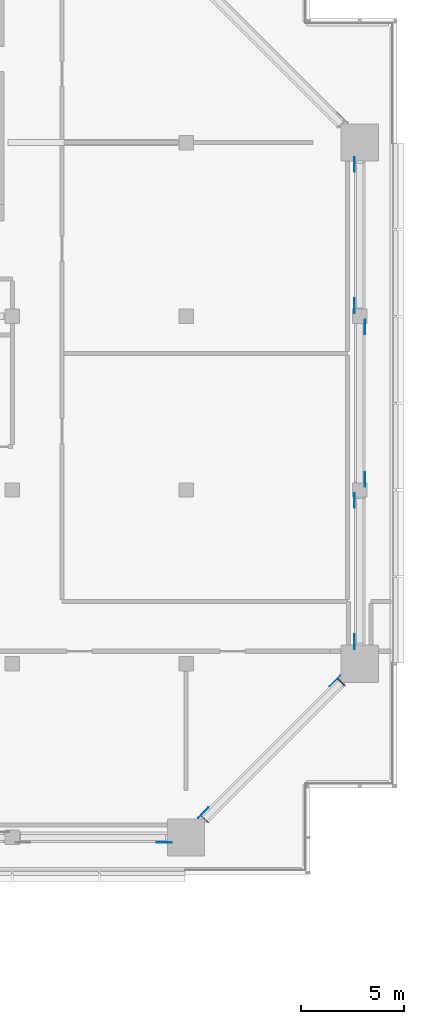
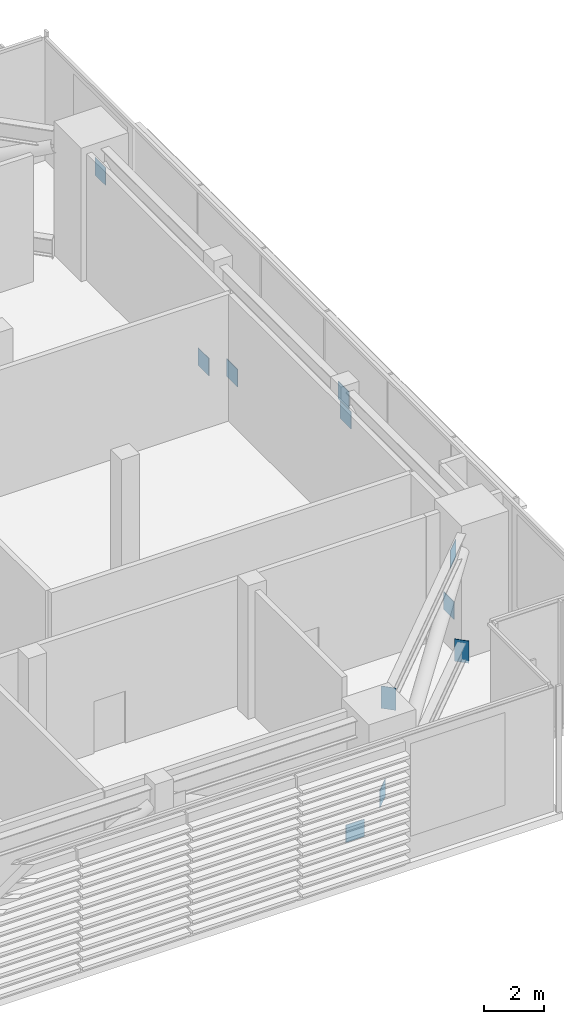
# One storey, part 22 of 29: 11 discrete accessories.
"""IFC4 building model written with IfcOpenShell, lengths in metres."""

from ifc_helpers import new_model, si_unit, direction, frame, origin, origin_2d, place, context, subcontext, project, spatial, rectangle, extrude, element, save


model = new_model("IFC4")

# Units and contexts
model_context = context("Model", 3, precision=1e-05, world=origin(), true_north=direction((0.0, 1.0)))
body_context = subcontext(model_context, "Body", "Model", "MODEL_VIEW")
ifc_project = project(units=[si_unit("LENGTHUNIT", "METRE"), si_unit("AREAUNIT", "SQUARE_METRE"), si_unit("VOLUMEUNIT", "CUBIC_METRE"), si_unit("PLANEANGLEUNIT", "RADIAN"), si_unit("MASSUNIT", "GRAM", prefix="KILO")], contexts=[model_context])

# Site, building, storey
site_placement = place(None, origin())
site = spatial("IfcSite", under=ifc_project, at=site_placement, CompositionType="ELEMENT")
building_placement = place(site_placement, origin())
building = spatial("IfcBuilding", under=site, at=building_placement, Name="Saffron Gate Tower", CompositionType="ELEMENT")
storey_placement = place(building_placement, frame((0.0, 0.0, 142.050048828125)))
storey = spatial("IfcBuildingStorey", under=building, at=storey_placement, Name="L34", CompositionType="ELEMENT", Elevation=142.050048828125)

# Discrete accessories
for number, where, z_axis, x_axis, name in (
    (1, (115.9423828125, 31.5458984375, 0.426513671875), (0.0, 0.0, 1.0), (-1.0, 0.0, 0.0), "GUSSET PLATE"),
    (2, (125.14599609375, 41.2578125, 0.426513671875), (0.0, 0.0, 1.0), (0.0, 1.0, 0.0), "GUSSET PLATE"),
    (3, (125.14599609375, 48.09228515625, 3.982421875), (0.0, 0.0, 1.0), (0.0, 1.0, 0.0), "GUSSET PLATE"),
    (4, (125.654052734375, 56.489990234375, 0.421875), (0.0, 0.0, 1.0), (0.0, -1.0, 0.0), "GUSSET PLATE"),
    (5, (125.654052734375, 49.110107421875, 3.987060546875), (0.0, 0.0, 1.0), (0.0, -1.0, 0.0), "GUSSET PLATE"),
    (6, (125.14599609375, 57.5078125, 0.426513671875), (0.0, 0.0, 1.0), (0.0, 1.0, 0.0), "GUSSET PLATE"),
    (7, (125.14599609375, 64.34228515625, 3.982421875), (0.0, 0.0, 1.0), (0.0, 1.0, 0.0), "GUSSET PLATE"),
    (8, (117.837158203125, 32.996337890625, 0.410400390625), (0.0, 0.0, 1.0), (0.707106781187, 0.707106781187, 0.0), "GUSSET PLATE"),
    (9, (124.20361328125, 39.36279296875, 3.998779296875), (0.0, 0.0, 1.0), (0.707106781187, 0.707106781187, 0.0), "GUSSET PLATE"),
):
    element("IfcDiscreteAccessory", number, at=place(storey_placement, frame(where, z_axis=z_axis, x_axis=x_axis)), inside=storey, Name=name, ObjectType="GUSSET PLATE", PredefinedType="USERDEFINED", context=body_context, shape_type="SweptSolid", body=[
        extrude(rectangle(XDim=0.7109375, YDim=0.02001953125, at=origin_2d()), origin(), (0.0, 0.0, 1.0), 0.7109375),
    ])
for number, where, z_axis, x_axis, name in (
    (10, (117.892822265625, 32.69287109375, 4.320068359375), (0.0, 0.0, 1.0), (-0.707106781187, -0.707106781187, 0.0), "BELT TRUSS END PLATE"),
    (11, (124.507080078125, 39.30712890625, -0.10009765625), (0.0, 0.0, 1.0), (0.707106781187, 0.707106781187, 0.0), "BELT TRUSS END PLATE"),
):
    element("IfcDiscreteAccessory", number, at=place(storey_placement, frame(where, z_axis=z_axis, x_axis=x_axis)), inside=storey, Name=name, ObjectType="BELT TRUSS END PLATE", PredefinedType="USERDEFINED", context=body_context, shape_type="SweptSolid", body=[
        extrude(rectangle(XDim=0.02001953125, YDim=0.5, at=origin_2d()), origin(), (0.0, 0.0, 1.0), 0.89990234375),
    ])

save(model, "model.ifc")
